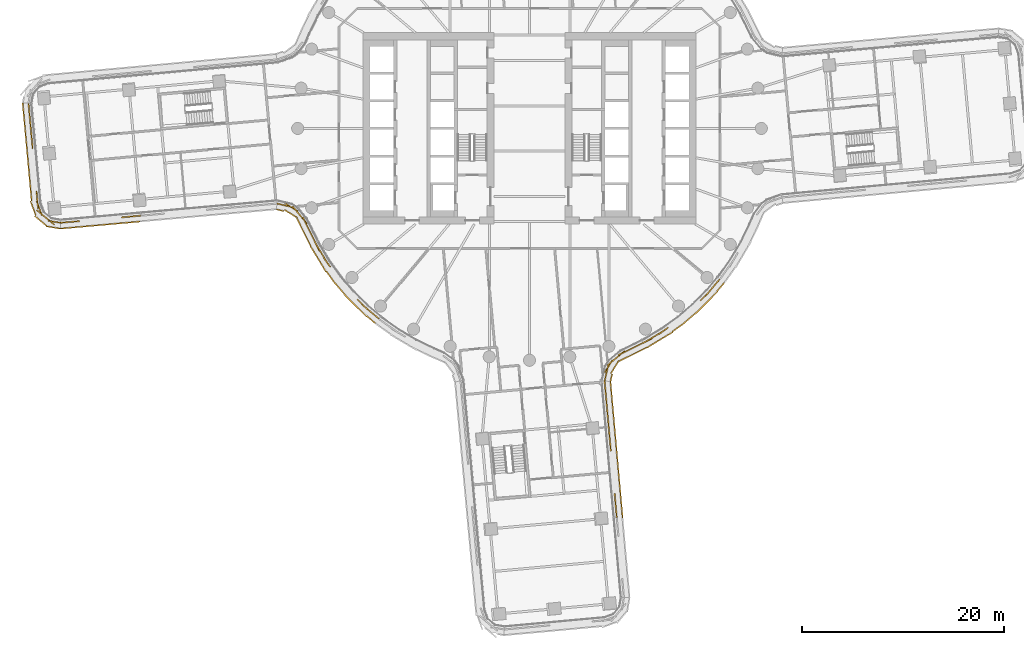
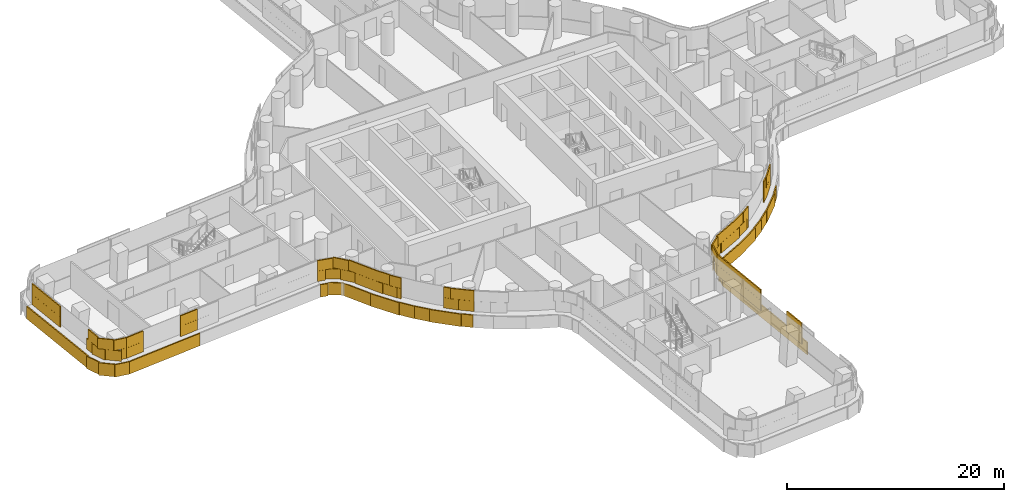
# One storey, part 26 of 31: 5 coverings.
"""IFC4 building model written with IfcOpenShell, lengths in metres."""

from ifc_helpers import new_model, si_unit, direction, frame, origin, origin_2d, place, context, subcontext, project, spatial, rectangle, extrude, material, layer, layer_set, type_object, element, save


model = new_model("IFC4")

# Units and contexts
model_context = context("Model", 3, precision=1e-05, world=origin(), true_north=direction((0.0, 1.0)))
body_context = subcontext(model_context, "Body", "Model", "MODEL_VIEW")
ifc_project = project(units=[si_unit("LENGTHUNIT", "METRE"), si_unit("AREAUNIT", "SQUARE_METRE"), si_unit("VOLUMEUNIT", "CUBIC_METRE"), si_unit("PLANEANGLEUNIT", "RADIAN"), si_unit("MASSUNIT", "GRAM", prefix="KILO")], contexts=[model_context])

# Site, building, storey
site_placement = place(None, origin())
site = spatial("IfcSite", under=ifc_project, at=site_placement, CompositionType="ELEMENT")
building_placement = place(site_placement, origin())
building = spatial("IfcBuilding", under=site, at=building_placement, Name="Tamarind Cross Interchange Tower", CompositionType="ELEMENT")
storey_placement = place(building_placement, frame((0.0, 0.0, 52.75)))
storey = spatial("IfcBuildingStorey", under=building, at=storey_placement, Name="L11", CompositionType="ELEMENT", Elevation=52.75)

# Coverings
ifc_material = material(Name="Terracotta", Category="masonry")
ifc_layer = layer(ifc_material, 0.1201171875)
ifc_layer_set = layer_set([ifc_layer], Name="Terracotta")
covering_type = type_object("IfcCoveringType", Name="Terracotta baguette screen unit", PredefinedType="MOLDING", material=ifc_layer_set)
covering_1_placement = place(storey_placement, origin())
element("IfcCovering", 1, at=covering_1_placement, inside=storey, type_object=covering_type, Name="SCR-L11-04-00", PredefinedType="MOLDING", context=body_context, shape_type="SweptSolid", body=[
    extrude(rectangle(XDim=0.760009765625, YDim=0.1201171875, at=origin_2d()), frame((-49.672607421875, 2.1259765625, 1.404052734375), z_axis=(0.0, 0.0, 1.0), x_axis=(0.091049727316, -0.995846347162, 0.0)), (0.0, 0.0, 1.0), 1.1669921875),
    extrude(rectangle(XDim=1.52001953125, YDim=0.1201171875, at=origin_2d()), frame((-49.5703125, 1.005859375, 1.404052734375), z_axis=(0.0, 0.0, 1.0), x_axis=(0.091049727316, -0.995846347162, 0.0)), (0.0, 0.0, 1.0), 1.1669921875),
    extrude(rectangle(XDim=1.52001953125, YDim=0.1201171875, at=origin_2d()), frame((-49.43359375, -0.488037109375, 1.404052734375), z_axis=(0.0, 0.0, 1.0), x_axis=(0.091049727316, -0.995846347162, 0.0)), (0.0, 0.0, 1.0), 1.1669921875),
    extrude(rectangle(XDim=0.78466796875, YDim=0.1201171875, at=origin_2d()), frame((-49.330078125, -1.62060546875, 1.404052734375), z_axis=(0.0, 0.0, 1.0), x_axis=(0.091049727316, -0.995846347162, 0.0)), (0.0, 0.0, 1.0), 1.1669921875),
    extrude(rectangle(XDim=1.03515625, YDim=0.1201171875, at=origin_2d()), frame((-48.86572265625, -6.699462890625, 1.404052734375), z_axis=(0.0, 0.0, 1.0), x_axis=(0.091049727316, -0.995846347162, 0.0)), (0.0, 0.0, 1.0), 1.1669921875),
    extrude(rectangle(XDim=1.52001953125, YDim=0.1201171875, at=origin_2d()), frame((-48.62939453125, -7.929443359375, 1.404052734375), z_axis=(0.0, 0.0, 1.0), x_axis=(0.345691283732, -0.938348302259, 0.0)), (0.0, 0.0, 1.0), 1.1669921875),
    extrude(rectangle(XDim=1.52001953125, YDim=0.1201171875, at=origin_2d()), frame((-47.728271484375, -9.06689453125, 1.404052734375), z_axis=(0.0, 0.0, 1.0), x_axis=(0.768551584708, -0.639787825488, 0.0)), (0.0, 0.0, 1.0), 1.1669921875),
    extrude(rectangle(XDim=0.509521484375, YDim=0.1201171875, at=origin_2d()), frame((-46.78173828125, -9.3203125, 1.404052734375), z_axis=(0.0, 0.0, 1.0), x_axis=(0.98547910922, -0.16979671755, 0.0)), (0.0, 0.0, 1.0), 1.1669921875),
    extrude(rectangle(XDim=1.510009765625, YDim=0.1201171875, at=origin_2d()), frame((-49.638427734375, 1.752685546875, 2.5791015625), z_axis=(0.0, 0.0, 1.0), x_axis=(0.091049727316, -0.995846347162, 0.0)), (0.0, 0.0, 1.0), 1.1669921875),
    extrude(rectangle(XDim=1.52001953125, YDim=0.1201171875, at=origin_2d()), frame((-49.501953125, 0.2587890625, 2.5791015625), z_axis=(0.0, 0.0, 1.0), x_axis=(0.091049727316, -0.995846347162, 0.0)), (0.0, 0.0, 1.0), 1.1669921875),
    extrude(rectangle(XDim=1.52001953125, YDim=0.1201171875, at=origin_2d()), frame((-49.365478515625, -1.23486328125, 2.5791015625), z_axis=(0.0, 0.0, 1.0), x_axis=(0.091049727316, -0.995846347162, 0.0)), (0.0, 0.0, 1.0), 1.1669921875),
    extrude(rectangle(XDim=1.52001953125, YDim=0.1201171875, at=origin_2d()), frame((-48.819091796875, -7.2099609375, 2.5791015625), z_axis=(0.0, 0.0, 1.0), x_axis=(0.091049727316, -0.995846347162, 0.0)), (0.0, 0.0, 1.0), 1.1669921875),
    extrude(rectangle(XDim=1.52001953125, YDim=0.1201171875, at=origin_2d()), frame((-48.3046875, -8.5869140625, 2.5791015625), z_axis=(0.0, 0.0, 1.0), x_axis=(0.768551584708, -0.639787825488, 0.0)), (0.0, 0.0, 1.0), 1.1669921875),
    extrude(rectangle(XDim=1.259521484375, YDim=0.1201171875, at=origin_2d()), frame((-47.151123046875, -9.2568359375, 2.5791015625), z_axis=(0.0, 0.0, 1.0), x_axis=(0.98547910922, -0.16979671755, 0.0)), (0.0, 0.0, 1.0), 1.1669921875),
    extrude(rectangle(XDim=0.760009765625, YDim=0.1201171875, at=origin_2d()), frame((-50.250732421875, 2.14404296875, 0.00390625), z_axis=(0.0, 0.0, 1.0), x_axis=(0.091049727316, -0.995846347162, 0.0)), (0.0, 0.0, 1.0), 1.39208984375),
    extrude(rectangle(XDim=1.52001953125, YDim=0.1201171875, at=origin_2d()), frame((-50.148681640625, 1.02880859375, 0.00390625), z_axis=(0.0, 0.0, 1.0), x_axis=(0.091049727316, -0.995846347162, 0.0)), (0.0, 0.0, 1.0), 1.39208984375),
    extrude(rectangle(XDim=1.52001953125, YDim=0.1201171875, at=origin_2d()), frame((-50.01220703125, -0.465087890625, 0.00390625), z_axis=(0.0, 0.0, 1.0), x_axis=(0.091049727316, -0.995846347162, 0.0)), (0.0, 0.0, 1.0), 1.39208984375),
    extrude(rectangle(XDim=1.52001953125, YDim=0.1201171875, at=origin_2d()), frame((-49.87548828125, -1.958740234375, 0.00390625), z_axis=(0.0, 0.0, 1.0), x_axis=(0.091049727316, -0.995846347162, 0.0)), (0.0, 0.0, 1.0), 1.39208984375),
    extrude(rectangle(XDim=1.52001953125, YDim=0.1201171875, at=origin_2d()), frame((-49.739013671875, -3.45263671875, 0.00390625), z_axis=(0.0, 0.0, 1.0), x_axis=(0.091049727316, -0.995846347162, 0.0)), (0.0, 0.0, 1.0), 1.39208984375),
    extrude(rectangle(XDim=1.52001953125, YDim=0.1201171875, at=origin_2d()), frame((-49.6025390625, -4.9462890625, 0.00390625), z_axis=(0.0, 0.0, 1.0), x_axis=(0.091049727316, -0.995846347162, 0.0)), (0.0, 0.0, 1.0), 1.39208984375),
    extrude(rectangle(XDim=1.52001953125, YDim=0.1201171875, at=origin_2d()), frame((-49.4658203125, -6.440185546875, 0.00390625), z_axis=(0.0, 0.0, 1.0), x_axis=(0.091049727316, -0.995846347162, 0.0)), (0.0, 0.0, 1.0), 1.39208984375),
    extrude(rectangle(XDim=1.52001953125, YDim=0.1201171875, at=origin_2d()), frame((-49.24658203125, -7.915283203125, 0.00390625), z_axis=(0.0, 0.0, 1.0), x_axis=(0.345691283732, -0.938348302259, 0.0)), (0.0, 0.0, 1.0), 1.39208984375),
    extrude(rectangle(XDim=1.52001953125, YDim=0.1201171875, at=origin_2d()), frame((-48.506103515625, -9.166015625, 0.00390625), z_axis=(0.0, 0.0, 1.0), x_axis=(0.768551584708, -0.639787825488, 0.0)), (0.0, 0.0, 1.0), 1.39208984375),
    extrude(rectangle(XDim=1.42626953125, YDim=0.1201171875, at=origin_2d()), frame((-47.261962890625, -9.820068359375, 0.00390625), z_axis=(0.0, 0.0, 1.0), x_axis=(0.98547910922, -0.16979671755, 0.0)), (0.0, 0.0, 1.0), 1.39208984375),
])
covering_2_placement = place(storey_placement, origin())
element("IfcCovering", 2, at=covering_2_placement, inside=storey, type_object=covering_type, Name="SCR-L11-05-00", PredefinedType="MOLDING", context=body_context, shape_type="SweptSolid", body=[
    extrude(rectangle(XDim=0.760009765625, YDim=0.1201171875, at=origin_2d()), frame((-46.162109375, -9.32958984375, 1.404052734375), z_axis=(0.0, 0.0, 1.0), x_axis=(0.996059781171, 0.088684340968, 0.0)), (0.0, 0.0, 1.0), 1.1669921875),
    extrude(rectangle(XDim=1.146484375, YDim=0.1201171875, at=origin_2d()), frame((-45.222412109375, -9.245849609375, 1.404052734375), z_axis=(0.0, 0.0, 1.0), x_axis=(0.996059781171, 0.088684340968, 0.0)), (0.0, 0.0, 1.0), 1.1669921875),
    extrude(rectangle(XDim=0.673583984375, YDim=0.1201171875, at=origin_2d()), frame((-40.142578125, -8.793701171875, 1.404052734375), z_axis=(0.0, 0.0, 1.0), x_axis=(0.996059781171, 0.088684340968, 0.0)), (0.0, 0.0, 1.0), 1.1669921875),
    extrude(rectangle(XDim=1.233154296875, YDim=0.1201171875, at=origin_2d()), frame((-39.202880859375, -8.7099609375, 1.404052734375), z_axis=(0.0, 0.0, 1.0), x_axis=(0.996059781171, 0.088684340968, 0.0)), (0.0, 0.0, 1.0), 1.1669921875),
    extrude(rectangle(XDim=1.510009765625, YDim=0.1201171875, at=origin_2d()), frame((-45.78857421875, -9.29638671875, 2.5791015625), z_axis=(0.0, 0.0, 1.0), x_axis=(0.996059781171, 0.088684340968, 0.0)), (0.0, 0.0, 1.0), 1.1669921875),
    extrude(rectangle(XDim=0.396484375, YDim=0.1201171875, at=origin_2d()), frame((-44.848876953125, -9.212646484375, 2.5791015625), z_axis=(0.0, 0.0, 1.0), x_axis=(0.996059781171, 0.088684340968, 0.0)), (0.0, 0.0, 1.0), 1.1669921875),
    extrude(rectangle(XDim=1.423583984375, YDim=0.1201171875, at=origin_2d()), frame((-39.76904296875, -8.76025390625, 2.5791015625), z_axis=(0.0, 0.0, 1.0), x_axis=(0.996059781171, 0.088684340968, 0.0)), (0.0, 0.0, 1.0), 1.1669921875),
    extrude(rectangle(XDim=0.483154296875, YDim=0.1201171875, at=origin_2d()), frame((-38.82958984375, -8.6767578125, 2.5791015625), z_axis=(0.0, 0.0, 1.0), x_axis=(0.996059781171, 0.088684340968, 0.0)), (0.0, 0.0, 1.0), 1.1669921875),
    extrude(rectangle(XDim=0.760009765625, YDim=0.1201171875, at=origin_2d()), frame((-46.1806640625, -9.907470703125, 0.00390625), z_axis=(0.0, 0.0, 1.0), x_axis=(0.996059781171, 0.088684340968, 0.0)), (0.0, 0.0, 1.0), 1.39208984375),
    extrude(rectangle(XDim=1.52001953125, YDim=0.1201171875, at=origin_2d()), frame((-45.065185546875, -9.80810546875, 0.00390625), z_axis=(0.0, 0.0, 1.0), x_axis=(0.996059781171, 0.088684340968, 0.0)), (0.0, 0.0, 1.0), 1.39208984375),
    extrude(rectangle(XDim=1.52001953125, YDim=0.1201171875, at=origin_2d()), frame((-43.571044921875, -9.675048828125, 0.00390625), z_axis=(0.0, 0.0, 1.0), x_axis=(0.996059781171, 0.088684340968, 0.0)), (0.0, 0.0, 1.0), 1.39208984375),
    extrude(rectangle(XDim=1.52001953125, YDim=0.1201171875, at=origin_2d()), frame((-42.076904296875, -9.5419921875, 0.00390625), z_axis=(0.0, 0.0, 1.0), x_axis=(0.996059781171, 0.088684340968, 0.0)), (0.0, 0.0, 1.0), 1.39208984375),
    extrude(rectangle(XDim=1.52001953125, YDim=0.1201171875, at=origin_2d()), frame((-40.582763671875, -9.4091796875, 0.00390625), z_axis=(0.0, 0.0, 1.0), x_axis=(0.996059781171, 0.088684340968, 0.0)), (0.0, 0.0, 1.0), 1.39208984375),
    extrude(rectangle(XDim=1.2265625, YDim=0.1201171875, at=origin_2d()), frame((-39.23486328125, -9.2890625, 0.00390625), z_axis=(0.0, 0.0, 1.0), x_axis=(0.996059781171, 0.088684340968, 0.0)), (0.0, 0.0, 1.0), 1.39208984375),
])
covering_3_placement = place(storey_placement, origin())
element("IfcCovering", 3, at=covering_3_placement, inside=storey, type_object=covering_type, Name="SCR-L11-06-00", PredefinedType="MOLDING", context=body_context, shape_type="SweptSolid", body=[
    extrude(rectangle(XDim=0.760009765625, YDim=0.1201171875, at=origin_2d()), frame((-24.69482421875, -7.53662109375, 1.404052734375), z_axis=(0.0, 0.0, 1.0), x_axis=(0.973367045631, -0.229252250764, 0.0)), (0.0, 0.0, 1.0), 1.1669921875),
    extrude(rectangle(XDim=1.52001953125, YDim=0.1201171875, at=origin_2d()), frame((-23.614013671875, -7.82861328125, 1.404052734375), z_axis=(0.0, 0.0, 1.0), x_axis=(0.850534890287, -0.525918625268, 0.0)), (0.0, 0.0, 1.0), 1.1669921875),
    extrude(rectangle(XDim=1.52001953125, YDim=0.1201171875, at=origin_2d()), frame((-22.55419921875, -8.866455078125, 1.404052734375), z_axis=(0.0, 0.0, 1.0), x_axis=(0.640013713724, -0.768363485757, 0.0)), (0.0, 0.0, 1.0), 1.1669921875),
    extrude(rectangle(XDim=1.52001953125, YDim=0.1201171875, at=origin_2d()), frame((-21.820068359375, -10.16552734375, 1.404052734375), z_axis=(0.0, 0.0, 1.0), x_axis=(0.443058811505, -0.896492548518, 0.0)), (0.0, 0.0, 1.0), 1.1669921875),
    extrude(rectangle(XDim=1.52001953125, YDim=0.1201171875, at=origin_2d()), frame((-21.155517578125, -11.51025390625, 1.404052734375), z_axis=(0.0, 0.0, 1.0), x_axis=(0.443058811505, -0.896492548518, 0.0)), (0.0, 0.0, 1.0), 1.1669921875),
    extrude(rectangle(XDim=1.52001953125, YDim=0.1201171875, at=origin_2d()), frame((-20.3857421875, -12.797607421875, 1.404052734375), z_axis=(0.0, 0.0, 1.0), x_axis=(0.515577308909, -0.856843065292, 0.0)), (0.0, 0.0, 1.0), 1.1669921875),
    extrude(rectangle(XDim=0.404052734375, YDim=0.1201171875, at=origin_2d()), frame((-19.869384765625, -13.590576171875, 1.404052734375), z_axis=(0.0, 0.0, 1.0), x_axis=(0.584573890505, -0.811340475102, 0.0)), (0.0, 0.0, 1.0), 1.1669921875),
    extrude(rectangle(XDim=1.416015625, YDim=0.1201171875, at=origin_2d()), frame((-16.567138671875, -17.463134765625, 1.404052734375), z_axis=(0.0, 0.0, 1.0), x_axis=(0.710143317658, -0.704057148523, 0.0)), (0.0, 0.0, 1.0), 1.1669921875),
    extrude(rectangle(XDim=1.478515625, YDim=0.1201171875, at=origin_2d()), frame((-15.492431640625, -18.41552734375, 1.404052734375), z_axis=(0.0, 0.0, 1.0), x_axis=(0.765858396687, -0.643009266048, 0.0)), (0.0, 0.0, 1.0), 1.1669921875),
    extrude(rectangle(XDim=1.510009765625, YDim=0.1201171875, at=origin_2d()), frame((-24.329833984375, -7.62255859375, 2.5791015625), z_axis=(0.0, 0.0, 1.0), x_axis=(0.973367045631, -0.229252250764, 0.0)), (0.0, 0.0, 1.0), 1.1669921875),
    extrude(rectangle(XDim=1.52001953125, YDim=0.1201171875, at=origin_2d()), frame((-23.0341796875, -8.2900390625, 2.5791015625), z_axis=(0.0, 0.0, 1.0), x_axis=(0.640013713724, -0.768363485757, 0.0)), (0.0, 0.0, 1.0), 1.1669921875),
    extrude(rectangle(XDim=1.52001953125, YDim=0.1201171875, at=origin_2d()), frame((-22.151611328125, -9.49267578125, 2.5791015625), z_axis=(0.0, 0.0, 1.0), x_axis=(0.440548226964, -0.897728945573, 0.0)), (0.0, 0.0, 1.0), 1.1669921875),
    extrude(rectangle(XDim=1.52001953125, YDim=0.1201171875, at=origin_2d()), frame((-21.48779296875, -10.837890625, 2.5791015625), z_axis=(0.0, 0.0, 1.0), x_axis=(0.443058811505, -0.896492548518, 0.0)), (0.0, 0.0, 1.0), 1.1669921875),
    extrude(rectangle(XDim=1.52001953125, YDim=0.1201171875, at=origin_2d()), frame((-20.7724609375, -12.15478515625, 2.5791015625), z_axis=(0.0, 0.0, 1.0), x_axis=(0.515577308909, -0.856843065292, 0.0)), (0.0, 0.0, 1.0), 1.1669921875),
    extrude(rectangle(XDim=1.154052734375, YDim=0.1201171875, at=origin_2d()), frame((-20.088623046875, -13.2861328125, 2.5791015625), z_axis=(0.0, 0.0, 1.0), x_axis=(0.584573890505, -0.811340475102, 0.0)), (0.0, 0.0, 1.0), 1.1669921875),
    extrude(rectangle(XDim=0.666015625, YDim=0.1201171875, at=origin_2d()), frame((-16.83349609375, -17.198974609375, 2.5791015625), z_axis=(0.0, 0.0, 1.0), x_axis=(0.710143317658, -0.704057148523, 0.0)), (0.0, 0.0, 1.0), 1.1669921875),
    extrude(rectangle(XDim=1.52001953125, YDim=0.1201171875, at=origin_2d()), frame((-16.0546875, -17.943359375, 2.5791015625), z_axis=(0.0, 0.0, 1.0), x_axis=(0.765858396687, -0.643009266048, 0.0)), (0.0, 0.0, 1.0), 1.1669921875),
    extrude(rectangle(XDim=0.728515625, YDim=0.1201171875, at=origin_2d()), frame((-15.205078125, -18.65673828125, 2.5791015625), z_axis=(0.0, 0.0, 1.0), x_axis=(0.765858396687, -0.643009266048, 0.0)), (0.0, 0.0, 1.0), 1.1669921875),
    extrude(rectangle(XDim=0.760009765625, YDim=0.1201171875, at=origin_2d()), frame((-24.7314453125, -8.117919921875, 0.00390625), z_axis=(0.0, 0.0, 1.0), x_axis=(0.973367045631, -0.229252250764, 0.0)), (0.0, 0.0, 1.0), 1.39208984375),
    extrude(rectangle(XDim=1.52001953125, YDim=0.1201171875, at=origin_2d()), frame((-23.67822265625, -8.463623046875, 0.00390625), z_axis=(0.0, 0.0, 1.0), x_axis=(0.850534890287, -0.525918625268, 0.0)), (0.0, 0.0, 1.0), 1.39208984375),
    extrude(rectangle(XDim=1.52001953125, YDim=0.1201171875, at=origin_2d()), frame((-22.7314453125, -9.6142578125, 0.00390625), z_axis=(0.0, 0.0, 1.0), x_axis=(0.440548226964, -0.897728945573, 0.0)), (0.0, 0.0, 1.0), 1.39208984375),
    extrude(rectangle(XDim=1.52001953125, YDim=0.1201171875, at=origin_2d()), frame((-22.06787109375, -10.95947265625, 0.00390625), z_axis=(0.0, 0.0, 1.0), x_axis=(0.443058811505, -0.896492548518, 0.0)), (0.0, 0.0, 1.0), 1.39208984375),
    extrude(rectangle(XDim=1.52001953125, YDim=0.1201171875, at=origin_2d()), frame((-21.364990234375, -12.283203125, 0.00390625), z_axis=(0.0, 0.0, 1.0), x_axis=(0.515577308909, -0.856843065292, 0.0)), (0.0, 0.0, 1.0), 1.39208984375),
    extrude(rectangle(XDim=1.52001953125, YDim=0.1201171875, at=origin_2d()), frame((-20.591552734375, -13.568603515625, 0.00390625), z_axis=(0.0, 0.0, 1.0), x_axis=(0.515577308909, -0.856843065292, 0.0)), (0.0, 0.0, 1.0), 1.39208984375),
    extrude(rectangle(XDim=1.52001953125, YDim=0.1201171875, at=origin_2d()), frame((-19.715576171875, -14.785888671875, 0.00390625), z_axis=(0.0, 0.0, 1.0), x_axis=(0.584573890505, -0.811340475102, 0.0)), (0.0, 0.0, 1.0), 1.39208984375),
    extrude(rectangle(XDim=1.52001953125, YDim=0.1201171875, at=origin_2d()), frame((-18.776611328125, -15.954345703125, 0.00390625), z_axis=(0.0, 0.0, 1.0), x_axis=(0.64957723968, -0.760295606781, 0.0)), (0.0, 0.0, 1.0), 1.39208984375),
    extrude(rectangle(XDim=1.52001953125, YDim=0.1201171875, at=origin_2d()), frame((-17.77734375, -17.071533203125, 0.00390625), z_axis=(0.0, 0.0, 1.0), x_axis=(0.710143317658, -0.704057148523, 0.0)), (0.0, 0.0, 1.0), 1.39208984375),
    extrude(rectangle(XDim=1.52001953125, YDim=0.1201171875, at=origin_2d()), frame((-16.712158203125, -18.127685546875, 0.00390625), z_axis=(0.0, 0.0, 1.0), x_axis=(0.710143317658, -0.704057148523, 0.0)), (0.0, 0.0, 1.0), 1.39208984375),
    extrude(rectangle(XDim=1.130859375, YDim=0.1201171875, at=origin_2d()), frame((-15.71923828125, -18.974609375, 0.00390625), z_axis=(0.0, 0.0, 1.0), x_axis=(0.765858396687, -0.643009266048, 0.0)), (0.0, 0.0, 1.0), 1.39208984375),
])
covering_4_placement = place(storey_placement, origin())
element("IfcCovering", 4, at=covering_4_placement, inside=storey, type_object=covering_type, Name="SCR-L11-09-01", PredefinedType="MOLDING", context=body_context, shape_type="SweptSolid", body=[
    extrude(rectangle(XDim=0.286865234375, YDim=0.1201171875, at=origin_2d()), frame((8.6435546875, -38.4560546875, 1.404052734375), z_axis=(0.0, 0.0, 1.0), x_axis=(-0.088684340968, 0.996059781171, 0.0)), (0.0, 0.0, 1.0), 1.1669921875),
    extrude(rectangle(XDim=1.52001953125, YDim=0.1201171875, at=origin_2d()), frame((8.564697265625, -37.571044921875, 1.404052734375), z_axis=(0.0, 0.0, 1.0), x_axis=(-0.088684340968, 0.996059781171, 0.0)), (0.0, 0.0, 1.0), 1.1669921875),
    extrude(rectangle(XDim=0.632568359375, YDim=0.1201171875, at=origin_2d()), frame((8.470458984375, -36.513916015625, 1.404052734375), z_axis=(0.0, 0.0, 1.0), x_axis=(-0.088684340968, 0.996059781171, 0.0)), (0.0, 0.0, 1.0), 1.1669921875),
    extrude(rectangle(XDim=1.1875, YDim=0.1201171875, at=origin_2d()), frame((8.018310546875, -31.43408203125, 1.404052734375), z_axis=(0.0, 0.0, 1.0), x_axis=(-0.088684340968, 0.996059781171, 0.0)), (0.0, 0.0, 1.0), 1.1669921875),
    extrude(rectangle(XDim=1.52001953125, YDim=0.1201171875, at=origin_2d()), frame((7.8994140625, -30.1005859375, 1.404052734375), z_axis=(0.0, 0.0, 1.0), x_axis=(-0.088684340968, 0.996059781171, 0.0)), (0.0, 0.0, 1.0), 1.1669921875),
    extrude(rectangle(XDim=1.52001953125, YDim=0.1201171875, at=origin_2d()), frame((7.7666015625, -28.6064453125, 1.404052734375), z_axis=(0.0, 0.0, 1.0), x_axis=(-0.088684340968, 0.996059781171, 0.0)), (0.0, 0.0, 1.0), 1.1669921875),
    extrude(rectangle(XDim=1.52001953125, YDim=0.1201171875, at=origin_2d()), frame((7.633544921875, -27.1123046875, 1.404052734375), z_axis=(0.0, 0.0, 1.0), x_axis=(-0.088684340968, 0.996059781171, 0.0)), (0.0, 0.0, 1.0), 1.1669921875),
    extrude(rectangle(XDim=1.320556640625, YDim=0.1201171875, at=origin_2d()), frame((7.5087890625, -25.712646484375, 1.404052734375), z_axis=(0.0, 0.0, 1.0), x_axis=(-0.088684340968, 0.996059781171, 0.0)), (0.0, 0.0, 1.0), 1.1669921875),
    extrude(rectangle(XDim=1.036865234375, YDim=0.1201171875, at=origin_2d()), frame((8.610107421875, -38.08251953125, 2.5791015625), z_axis=(0.0, 0.0, 1.0), x_axis=(-0.088684340968, 0.996059781171, 0.0)), (0.0, 0.0, 1.0), 1.1669921875),
    extrude(rectangle(XDim=1.382568359375, YDim=0.1201171875, at=origin_2d()), frame((8.50390625, -36.887451171875, 2.5791015625), z_axis=(0.0, 0.0, 1.0), x_axis=(-0.088684340968, 0.996059781171, 0.0)), (0.0, 0.0, 1.0), 1.1669921875),
    extrude(rectangle(XDim=0.4375, YDim=0.1201171875, at=origin_2d()), frame((8.051513671875, -31.8076171875, 2.5791015625), z_axis=(0.0, 0.0, 1.0), x_axis=(-0.088684340968, 0.996059781171, 0.0)), (0.0, 0.0, 1.0), 1.1669921875),
    extrude(rectangle(XDim=1.52001953125, YDim=0.1201171875, at=origin_2d()), frame((7.966064453125, -30.84765625, 2.5791015625), z_axis=(0.0, 0.0, 1.0), x_axis=(-0.088684340968, 0.996059781171, 0.0)), (0.0, 0.0, 1.0), 1.1669921875),
    extrude(rectangle(XDim=1.52001953125, YDim=0.1201171875, at=origin_2d()), frame((7.8330078125, -29.353515625, 2.5791015625), z_axis=(0.0, 0.0, 1.0), x_axis=(-0.088684340968, 0.996059781171, 0.0)), (0.0, 0.0, 1.0), 1.1669921875),
    extrude(rectangle(XDim=1.52001953125, YDim=0.1201171875, at=origin_2d()), frame((7.699951171875, -27.859375, 2.5791015625), z_axis=(0.0, 0.0, 1.0), x_axis=(-0.088684340968, 0.996059781171, 0.0)), (0.0, 0.0, 1.0), 1.1669921875),
    extrude(rectangle(XDim=1.52001953125, YDim=0.1201171875, at=origin_2d()), frame((7.56689453125, -26.365234375, 2.5791015625), z_axis=(0.0, 0.0, 1.0), x_axis=(-0.088684340968, 0.996059781171, 0.0)), (0.0, 0.0, 1.0), 1.1669921875),
    extrude(rectangle(XDim=0.570556640625, YDim=0.1201171875, at=origin_2d()), frame((7.4755859375, -25.339111328125, 2.5791015625), z_axis=(0.0, 0.0, 1.0), x_axis=(-0.088684340968, 0.996059781171, 0.0)), (0.0, 0.0, 1.0), 1.1669921875),
    extrude(rectangle(XDim=0.29345703125, YDim=0.1201171875, at=origin_2d()), frame((9.2216796875, -38.47802734375, 0.00390625), z_axis=(0.0, 0.0, 1.0), x_axis=(-0.088684340968, 0.996059781171, 0.0)), (0.0, 0.0, 1.0), 1.39208984375),
    extrude(rectangle(XDim=1.52001953125, YDim=0.1201171875, at=origin_2d()), frame((9.14306640625, -37.5947265625, 0.00390625), z_axis=(0.0, 0.0, 1.0), x_axis=(-0.088684340968, 0.996059781171, 0.0)), (0.0, 0.0, 1.0), 1.39208984375),
    extrude(rectangle(XDim=1.52001953125, YDim=0.1201171875, at=origin_2d()), frame((9.010009765625, -36.1005859375, 0.00390625), z_axis=(0.0, 0.0, 1.0), x_axis=(-0.088684340968, 0.996059781171, 0.0)), (0.0, 0.0, 1.0), 1.39208984375),
    extrude(rectangle(XDim=1.52001953125, YDim=0.1201171875, at=origin_2d()), frame((8.876953125, -34.6064453125, 0.00390625), z_axis=(0.0, 0.0, 1.0), x_axis=(-0.088684340968, 0.996059781171, 0.0)), (0.0, 0.0, 1.0), 1.39208984375),
    extrude(rectangle(XDim=1.52001953125, YDim=0.1201171875, at=origin_2d()), frame((8.743896484375, -33.1123046875, 0.00390625), z_axis=(0.0, 0.0, 1.0), x_axis=(-0.088684340968, 0.996059781171, 0.0)), (0.0, 0.0, 1.0), 1.39208984375),
    extrude(rectangle(XDim=1.52001953125, YDim=0.1201171875, at=origin_2d()), frame((8.61083984375, -31.618408203125, 0.00390625), z_axis=(0.0, 0.0, 1.0), x_axis=(-0.088684340968, 0.996059781171, 0.0)), (0.0, 0.0, 1.0), 1.39208984375),
    extrude(rectangle(XDim=1.52001953125, YDim=0.1201171875, at=origin_2d()), frame((8.477783203125, -30.124267578125, 0.00390625), z_axis=(0.0, 0.0, 1.0), x_axis=(-0.088684340968, 0.996059781171, 0.0)), (0.0, 0.0, 1.0), 1.39208984375),
    extrude(rectangle(XDim=1.52001953125, YDim=0.1201171875, at=origin_2d()), frame((8.344970703125, -28.630126953125, 0.00390625), z_axis=(0.0, 0.0, 1.0), x_axis=(-0.088684340968, 0.996059781171, 0.0)), (0.0, 0.0, 1.0), 1.39208984375),
    extrude(rectangle(XDim=1.52001953125, YDim=0.1201171875, at=origin_2d()), frame((8.2119140625, -27.135986328125, 0.00390625), z_axis=(0.0, 0.0, 1.0), x_axis=(-0.088684340968, 0.996059781171, 0.0)), (0.0, 0.0, 1.0), 1.39208984375),
    extrude(rectangle(XDim=1.302734375, YDim=0.1201171875, at=origin_2d()), frame((8.08837890625, -25.750244140625, 0.00390625), z_axis=(0.0, 0.0, 1.0), x_axis=(-0.088684340968, 0.996059781171, 0.0)), (0.0, 0.0, 1.0), 1.39208984375),
])
covering_5_placement = place(storey_placement, origin())
element("IfcCovering", 5, at=covering_5_placement, inside=storey, type_object=covering_type, Name="SCR-L11-10-00", PredefinedType="MOLDING", context=body_context, shape_type="SweptSolid", body=[
    extrude(rectangle(XDim=0.760009765625, YDim=0.1201171875, at=origin_2d()), frame((7.53662109375, -24.69482421875, 1.404052734375), z_axis=(0.0, 0.0, 1.0), x_axis=(0.229252250764, 0.973367045631, 0.0)), (0.0, 0.0, 1.0), 1.1669921875),
    extrude(rectangle(XDim=1.52001953125, YDim=0.1201171875, at=origin_2d()), frame((7.82861328125, -23.614013671875, 1.404052734375), z_axis=(0.0, 0.0, 1.0), x_axis=(0.525918625268, 0.850534890287, 0.0)), (0.0, 0.0, 1.0), 1.1669921875),
    extrude(rectangle(XDim=1.52001953125, YDim=0.1201171875, at=origin_2d()), frame((8.866455078125, -22.55419921875, 1.404052734375), z_axis=(0.0, 0.0, 1.0), x_axis=(0.768363485757, 0.640013713724, 0.0)), (0.0, 0.0, 1.0), 1.1669921875),
    extrude(rectangle(XDim=1.52001953125, YDim=0.1201171875, at=origin_2d()), frame((10.16552734375, -21.820068359375, 1.404052734375), z_axis=(0.0, 0.0, 1.0), x_axis=(0.896492548518, 0.443058811505, 0.0)), (0.0, 0.0, 1.0), 1.1669921875),
    extrude(rectangle(XDim=1.52001953125, YDim=0.1201171875, at=origin_2d()), frame((11.51025390625, -21.155517578125, 1.404052734375), z_axis=(0.0, 0.0, 1.0), x_axis=(0.896492548518, 0.443058811505, 0.0)), (0.0, 0.0, 1.0), 1.1669921875),
    extrude(rectangle(XDim=1.52001953125, YDim=0.1201171875, at=origin_2d()), frame((12.797607421875, -20.3857421875, 1.404052734375), z_axis=(0.0, 0.0, 1.0), x_axis=(0.856843065292, 0.515577308909, 0.0)), (0.0, 0.0, 1.0), 1.1669921875),
    extrude(rectangle(XDim=0.404052734375, YDim=0.1201171875, at=origin_2d()), frame((13.590576171875, -19.869384765625, 1.404052734375), z_axis=(0.0, 0.0, 1.0), x_axis=(0.811340475102, 0.584573890505, 0.0)), (0.0, 0.0, 1.0), 1.1669921875),
    extrude(rectangle(XDim=1.416015625, YDim=0.1201171875, at=origin_2d()), frame((17.463134765625, -16.567138671875, 1.404052734375), z_axis=(0.0, 0.0, 1.0), x_axis=(0.704057148523, 0.710143317658, 0.0)), (0.0, 0.0, 1.0), 1.1669921875),
    extrude(rectangle(XDim=1.478515625, YDim=0.1201171875, at=origin_2d()), frame((18.41552734375, -15.492431640625, 1.404052734375), z_axis=(0.0, 0.0, 1.0), x_axis=(0.643009266048, 0.765858396687, 0.0)), (0.0, 0.0, 1.0), 1.1669921875),
    extrude(rectangle(XDim=1.510009765625, YDim=0.1201171875, at=origin_2d()), frame((7.62255859375, -24.329833984375, 2.5791015625), z_axis=(0.0, 0.0, 1.0), x_axis=(0.229252250764, 0.973367045631, 0.0)), (0.0, 0.0, 1.0), 1.1669921875),
    extrude(rectangle(XDim=1.52001953125, YDim=0.1201171875, at=origin_2d()), frame((8.2900390625, -23.0341796875, 2.5791015625), z_axis=(0.0, 0.0, 1.0), x_axis=(0.768363485757, 0.640013713724, 0.0)), (0.0, 0.0, 1.0), 1.1669921875),
    extrude(rectangle(XDim=1.52001953125, YDim=0.1201171875, at=origin_2d()), frame((9.49267578125, -22.151611328125, 2.5791015625), z_axis=(0.0, 0.0, 1.0), x_axis=(0.897728945573, 0.440548226964, 0.0)), (0.0, 0.0, 1.0), 1.1669921875),
    extrude(rectangle(XDim=1.52001953125, YDim=0.1201171875, at=origin_2d()), frame((10.837890625, -21.48779296875, 2.5791015625), z_axis=(0.0, 0.0, 1.0), x_axis=(0.896492548518, 0.443058811505, 0.0)), (0.0, 0.0, 1.0), 1.1669921875),
    extrude(rectangle(XDim=1.52001953125, YDim=0.1201171875, at=origin_2d()), frame((12.15478515625, -20.7724609375, 2.5791015625), z_axis=(0.0, 0.0, 1.0), x_axis=(0.856843065292, 0.515577308909, 0.0)), (0.0, 0.0, 1.0), 1.1669921875),
    extrude(rectangle(XDim=1.154052734375, YDim=0.1201171875, at=origin_2d()), frame((13.2861328125, -20.088623046875, 2.5791015625), z_axis=(0.0, 0.0, 1.0), x_axis=(0.811340475102, 0.584573890505, 0.0)), (0.0, 0.0, 1.0), 1.1669921875),
    extrude(rectangle(XDim=0.666015625, YDim=0.1201171875, at=origin_2d()), frame((17.198974609375, -16.83349609375, 2.5791015625), z_axis=(0.0, 0.0, 1.0), x_axis=(0.704057148523, 0.710143317658, 0.0)), (0.0, 0.0, 1.0), 1.1669921875),
    extrude(rectangle(XDim=1.52001953125, YDim=0.1201171875, at=origin_2d()), frame((17.943359375, -16.0546875, 2.5791015625), z_axis=(0.0, 0.0, 1.0), x_axis=(0.643009266048, 0.765858396687, 0.0)), (0.0, 0.0, 1.0), 1.1669921875),
    extrude(rectangle(XDim=0.728515625, YDim=0.1201171875, at=origin_2d()), frame((18.65673828125, -15.205078125, 2.5791015625), z_axis=(0.0, 0.0, 1.0), x_axis=(0.643009266048, 0.765858396687, 0.0)), (0.0, 0.0, 1.0), 1.1669921875),
    extrude(rectangle(XDim=0.760009765625, YDim=0.1201171875, at=origin_2d()), frame((8.117919921875, -24.7314453125, 0.00390625), z_axis=(0.0, 0.0, 1.0), x_axis=(0.229252250764, 0.973367045631, 0.0)), (0.0, 0.0, 1.0), 1.39208984375),
    extrude(rectangle(XDim=1.52001953125, YDim=0.1201171875, at=origin_2d()), frame((8.463623046875, -23.67822265625, 0.00390625), z_axis=(0.0, 0.0, 1.0), x_axis=(0.525918625268, 0.850534890287, 0.0)), (0.0, 0.0, 1.0), 1.39208984375),
    extrude(rectangle(XDim=1.52001953125, YDim=0.1201171875, at=origin_2d()), frame((9.6142578125, -22.7314453125, 0.00390625), z_axis=(0.0, 0.0, 1.0), x_axis=(0.897728945573, 0.440548226964, 0.0)), (0.0, 0.0, 1.0), 1.39208984375),
    extrude(rectangle(XDim=1.52001953125, YDim=0.1201171875, at=origin_2d()), frame((10.95947265625, -22.06787109375, 0.00390625), z_axis=(0.0, 0.0, 1.0), x_axis=(0.896492548518, 0.443058811505, 0.0)), (0.0, 0.0, 1.0), 1.39208984375),
    extrude(rectangle(XDim=1.52001953125, YDim=0.1201171875, at=origin_2d()), frame((12.283203125, -21.364990234375, 0.00390625), z_axis=(0.0, 0.0, 1.0), x_axis=(0.856843065292, 0.515577308909, 0.0)), (0.0, 0.0, 1.0), 1.39208984375),
    extrude(rectangle(XDim=1.52001953125, YDim=0.1201171875, at=origin_2d()), frame((13.568603515625, -20.591552734375, 0.00390625), z_axis=(0.0, 0.0, 1.0), x_axis=(0.856843065292, 0.515577308909, 0.0)), (0.0, 0.0, 1.0), 1.39208984375),
    extrude(rectangle(XDim=1.52001953125, YDim=0.1201171875, at=origin_2d()), frame((14.785888671875, -19.715576171875, 0.00390625), z_axis=(0.0, 0.0, 1.0), x_axis=(0.811340475102, 0.584573890505, 0.0)), (0.0, 0.0, 1.0), 1.39208984375),
    extrude(rectangle(XDim=1.52001953125, YDim=0.1201171875, at=origin_2d()), frame((15.954345703125, -18.776611328125, 0.00390625), z_axis=(0.0, 0.0, 1.0), x_axis=(0.760295606781, 0.64957723968, 0.0)), (0.0, 0.0, 1.0), 1.39208984375),
    extrude(rectangle(XDim=1.52001953125, YDim=0.1201171875, at=origin_2d()), frame((17.071533203125, -17.77734375, 0.00390625), z_axis=(0.0, 0.0, 1.0), x_axis=(0.704057148523, 0.710143317658, 0.0)), (0.0, 0.0, 1.0), 1.39208984375),
    extrude(rectangle(XDim=1.52001953125, YDim=0.1201171875, at=origin_2d()), frame((18.127685546875, -16.712158203125, 0.00390625), z_axis=(0.0, 0.0, 1.0), x_axis=(0.704057148523, 0.710143317658, 0.0)), (0.0, 0.0, 1.0), 1.39208984375),
    extrude(rectangle(XDim=1.130859375, YDim=0.1201171875, at=origin_2d()), frame((18.974609375, -15.71923828125, 0.00390625), z_axis=(0.0, 0.0, 1.0), x_axis=(0.643009266048, 0.765858396687, 0.0)), (0.0, 0.0, 1.0), 1.39208984375),
])

save(model, "model.ifc")
